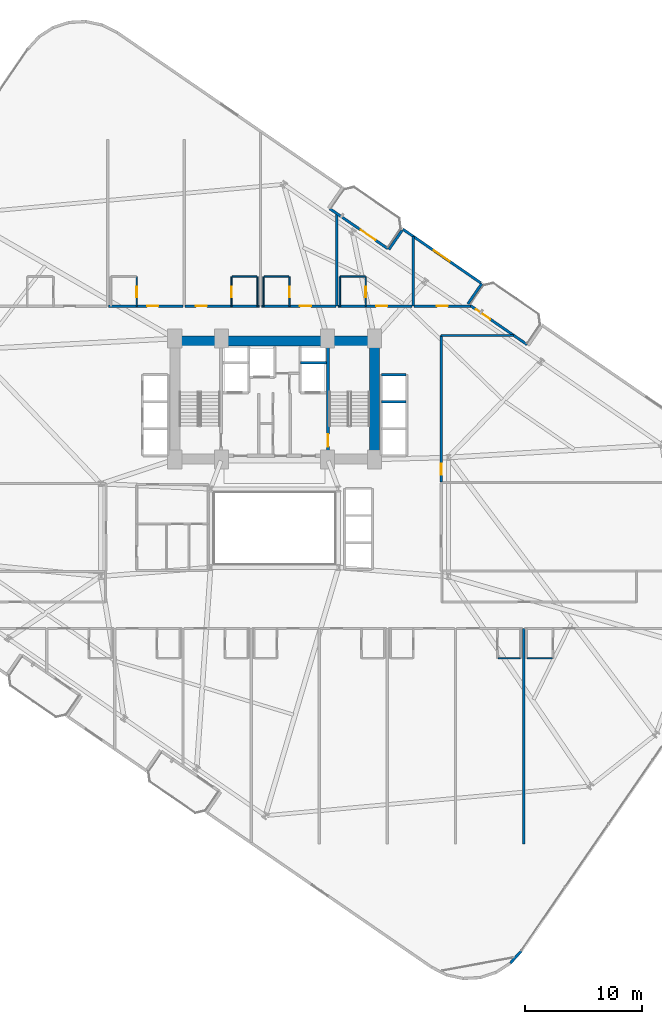
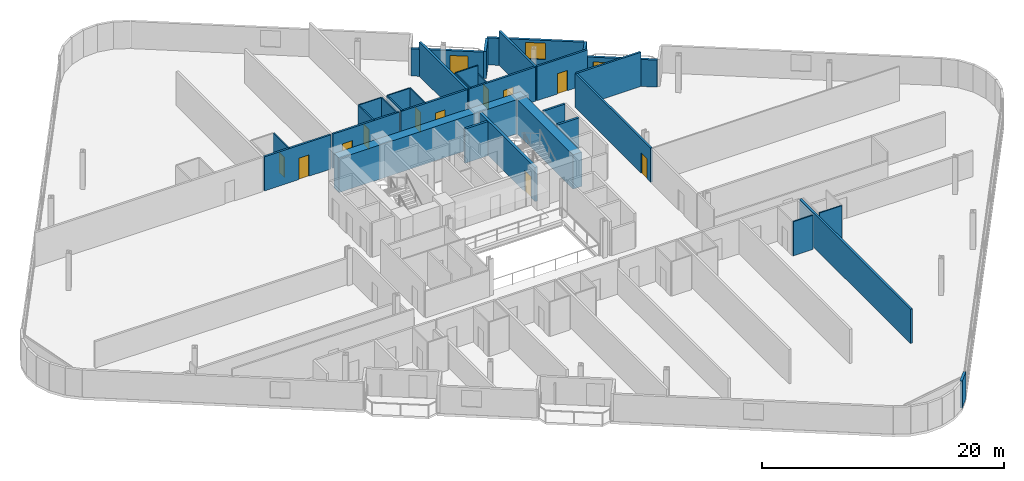
# One storey, part 22 of 27: 34 walls, 13 doors, 1 window, 14 openings.
"""IFC4 building model written with IfcOpenShell, lengths in metres."""

from ifc_helpers import new_model, si_unit, direction, frame, frame_2d, origin, place, context, subcontext, project, spatial, rectangle, extrude, material, layer, layer_set, type_object, element, fill, save


model = new_model("IFC4")

# Units and contexts
model_context = context("Model", 3, precision=1e-05, world=origin(), true_north=direction((0.0, 1.0)))
body_context = subcontext(model_context, "Body", "Model", "MODEL_VIEW")
ifc_project = project(units=[si_unit("LENGTHUNIT", "METRE"), si_unit("AREAUNIT", "SQUARE_METRE"), si_unit("VOLUMEUNIT", "CUBIC_METRE"), si_unit("PLANEANGLEUNIT", "RADIAN"), si_unit("MASSUNIT", "GRAM", prefix="KILO")], contexts=[model_context])

# Site, building, storey
site_placement = place(None, origin())
site = spatial("IfcSite", under=ifc_project, at=site_placement, CompositionType="ELEMENT")
building_placement = place(site_placement, origin())
building = spatial("IfcBuilding", under=site, at=building_placement, Name="Varnelok Gate Tower", CompositionType="ELEMENT")
storey_placement = place(building_placement, frame((0.0, 0.0, 60.300048828125)))
storey = spatial("IfcBuildingStorey", under=building, at=storey_placement, Name="L14", CompositionType="ELEMENT", Elevation=60.300048828125)

# Wall, opening, door
ifc_material_1 = material(Name="Concrete C45/55", Category="concrete")
ifc_layer_1 = layer(ifc_material_1, 0.219970703125)
ifc_layer_set_1 = layer_set([ifc_layer_1], Name="Concrete C45/55")
wall_type_1 = type_object("IfcWallType", Name="EW-BALC-220", PredefinedType="SOLIDWALL", material=ifc_layer_set_1)
wall_1_placement = place(storey_placement, frame((43.898193359375, 50.1015625, 0.0), z_axis=(0.0, 0.0, 1.0), x_axis=(0.823534636215, -0.567265989598, 0.0)))
wall_1 = element("IfcWall", 1, at=wall_1_placement, inside=storey, type_object=wall_type_1, Name="L14 North Terrace Envelope Wall 3", PredefinedType="SOLIDWALL", context=body_context, shape_type="SweptSolid", body=[
    extrude(rectangle(XDim=6.0, YDim=0.219970703125, at=frame_2d((3.0, 0.0))), origin(), (0.0, 0.0, 1.0), 2.72998046875),
])
opening_1_placement = place(wall_1_placement, frame((3.2119140625, 0.0, 0.0)))
opening_1 = element("IfcOpeningElement", 2, at=opening_1_placement, cuts=wall_1, Name="Opening BD-1", PredefinedType="OPENING", context=body_context, shape_type="SweptSolid", body=[
    extrude(rectangle(XDim=1.5, YDim=2.25, at=frame_2d((0.75, 1.125))), frame((0.0, 0.119873046875, 0.0), z_axis=(0.0, -1.0, 0.0), x_axis=(1.0, 0.0, 0.0)), (0.0, 0.0, 1.0), 0.239990234375),
])
ifc_material_2 = material(Name="Anodized Aluminum Alloy 6063-T6", Category="aluminium")
door_type_1 = type_object("IfcDoorType", Name="DR-EXT-BALC1500", OperationType="NOTDEFINED", PredefinedType="DOOR", material=ifc_material_2)
door_1_placement = place(opening_1_placement, origin())
door_1 = element("IfcDoor", 3, at=door_1_placement, inside=storey, type_object=door_type_1, Name="L14 North Balcony Glazed Door 3", OperationType="SINGLE_SWING_RIGHT", OverallHeight=2.25, OverallWidth=1.5, PredefinedType="DOOR", context=body_context, shape_type="SweptSolid", body=[
    extrude(rectangle(XDim=1.5, YDim=2.25, at=frame_2d((0.75, 1.125))), frame((0.0, 0.02490234375, 0.0), z_axis=(0.0, -1.0, 0.0), x_axis=(1.0, 0.0, 0.0)), (0.0, 0.0, 1.0), 0.050048828125),
])
fill(opening_1, door_1)

wall_2_placement = place(storey_placement, frame((55.757080078125, 41.932861328125, 0.0), z_axis=(0.0, 0.0, 1.0), x_axis=(0.823534636215, -0.567265989598, 0.0)))
wall_2 = element("IfcWall", 4, at=wall_2_placement, inside=storey, type_object=wall_type_1, Name="L14 North Terrace Envelope Wall 4", PredefinedType="SOLIDWALL", context=body_context, shape_type="SweptSolid", body=[
    extrude(rectangle(XDim=6.0, YDim=0.219970703125, at=frame_2d((3.0, 0.0))), origin(), (0.0, 0.0, 1.0), 2.72998046875),
])
opening_2_placement = place(wall_2_placement, frame((0.696044921875, 0.0, 0.0)))
opening_2 = element("IfcOpeningElement", 5, at=opening_2_placement, cuts=wall_2, Name="Opening BD-1", PredefinedType="OPENING", context=body_context, shape_type="SweptSolid", body=[
    extrude(rectangle(XDim=1.5, YDim=2.25, at=frame_2d((0.75, 1.125))), frame((0.0, 0.119873046875, 0.0), z_axis=(0.0, -1.0, 0.0), x_axis=(1.0, 0.0, 0.0)), (0.0, 0.0, 1.0), 0.239990234375),
])
door_2_placement = place(opening_2_placement, origin())
door_2 = element("IfcDoor", 6, at=door_2_placement, inside=storey, type_object=door_type_1, Name="L14 North Balcony Glazed Door 4", OperationType="SINGLE_SWING_LEFT", OverallHeight=2.25, OverallWidth=1.5, PredefinedType="DOOR", context=body_context, shape_type="SweptSolid", body=[
    extrude(rectangle(XDim=1.5, YDim=2.25, at=frame_2d((0.75, 1.125))), frame((0.0, 0.02490234375, 0.0), z_axis=(0.0, -1.0, 0.0), x_axis=(1.0, 0.0, 0.0)), (0.0, 0.0, 1.0), 0.050048828125),
])
fill(opening_2, door_2)

# Walls
wall_3_placement = place(storey_placement, frame((59.26611328125, -14.13525390625, 0.0), z_axis=(0.0, 0.0, 1.0), x_axis=(0.669866433955, 0.742481623113, 0.0)))
element("IfcWall", 7, at=wall_3_placement, inside=storey, type_object=wall_type_1, Name="L14 Perimeter Facade Closure Wall 19", PredefinedType="SOLIDWALL", context=body_context, shape_type="SweptSolid", body=[
    extrude(rectangle(XDim=1.4052734375, YDim=0.219970703125, at=frame_2d((0.70263671875, 0.0))), origin(), (0.0, 0.0, 1.0), 2.72998046875),
])
wall_4_placement = place(storey_placement, frame((55.652587890625, 41.99267578125, 0.0), z_axis=(0.0, 0.0, 1.0), x_axis=(0.567273696173, 0.823529327729, 0.0)))
element("IfcWall", 8, at=wall_4_placement, inside=storey, type_object=wall_type_1, Name="L14 Perimeter Facade Closure Wall 28", PredefinedType="SOLIDWALL", context=body_context, shape_type="SweptSolid", body=[
    extrude(rectangle(XDim=2.099853515625, YDim=0.219970703125, at=frame_2d((1.0498046875, 0.0))), origin(), (0.0, 0.0, 1.0), 2.72998046875),
])

# Wall, opening, window
wall_5_placement = place(storey_placement, frame((56.740966796875, 43.79296875, 0.0), z_axis=(0.0, 0.0, 1.0), x_axis=(-0.823530942962, 0.56727135128, 0.0)))
wall_5 = element("IfcWall", 9, at=wall_5_placement, inside=storey, type_object=wall_type_1, Name="L14 Perimeter Facade Closure Wall 29", PredefinedType="SOLIDWALL", context=body_context, shape_type="SweptSolid", body=[
    extrude(rectangle(XDim=8.03515625, YDim=0.219970703125, at=frame_2d((4.017578125, 0.0))), origin(), (0.0, 0.0, 1.0), 2.72998046875),
])
opening_3_placement = place(wall_5_placement, frame((3.1923828125, 0.0, 0.800048828125)))
opening_3 = element("IfcOpeningElement", 10, at=opening_3_placement, cuts=wall_5, Name="Opening WN3", PredefinedType="OPENING", context=body_context, shape_type="SweptSolid", body=[
    extrude(rectangle(XDim=1.64990234375, YDim=1.64990234375, at=frame_2d((0.824951171875, 0.824951171875))), frame((0.0, 0.119873046875, 0.0), z_axis=(0.0, -1.0, 0.0), x_axis=(1.0, 0.0, 0.0)), (0.0, 0.0, 1.0), 0.239990234375),
])
ifc_material_3 = material(Name="Low-E Laminated Double Glazing IGU", Category="glass")
window_type = type_object("IfcWindowType", Name="WN-HTL-1650", PartitioningType="SINGLE_PANEL", PredefinedType="WINDOW", material=ifc_material_3)
window_placement = place(opening_3_placement, origin())
window = element("IfcWindow", 11, at=window_placement, inside=storey, type_object=window_type, Name="L14 Perimeter Vision Window 29", OverallHeight=1.64990234375, OverallWidth=1.64990234375, PartitioningType="SINGLE_PANEL", PredefinedType="WINDOW", context=body_context, shape_type="SweptSolid", body=[
    extrude(rectangle(XDim=1.64990234375, YDim=1.64990234375, at=frame_2d((0.824951171875, 0.824951171875))), frame((0.0, 0.030029296875, 0.0), z_axis=(0.0, -1.0, 0.0), x_axis=(1.0, 0.0, 0.0)), (0.0, 0.0, 1.0), 0.06005859375),
])
fill(opening_3, window)

# Wall
wall_6_placement = place(storey_placement, frame((50.052978515625, 48.248046875, 0.0), z_axis=(0.0, 0.0, 1.0), x_axis=(-0.567273565974, -0.823529417415, 0.0)))
element("IfcWall", 12, at=wall_6_placement, inside=storey, type_object=wall_type_1, Name="L14 Perimeter Facade Closure Wall 30", PredefinedType="SOLIDWALL", context=body_context, shape_type="SweptSolid", body=[
    extrude(rectangle(XDim=1.97509765625, YDim=0.219970703125, at=frame_2d((0.987548828125, 0.0))), origin(), (0.0, 0.0, 1.0), 2.72998046875),
])

# Wall, opening, door
ifc_material_4 = material(Name="Gypsum Plasterboard Acoustic Partition", Category="gypsum")
ifc_layer_2 = layer(ifc_material_4, 0.179931640625)
ifc_layer_set_2 = layer_set([ifc_layer_2], Name="Gypsum Plasterboard Acoustic Partition")
wall_type_2 = type_object("IfcWallType", Name="PW-CORR-180", PredefinedType="PARTITIONING", material=ifc_layer_set_2)
wall_7_placement = place(storey_placement, frame((25.080078125, 41.800048828125, 0.0), z_axis=(0.0, 0.0, 1.0), x_axis=(1.0, 0.0, 0.0)))
wall_7 = element("IfcWall", 13, at=wall_7_placement, inside=storey, type_object=wall_type_2, Name="Interior Partition", PredefinedType="PARTITIONING", context=body_context, shape_type="SweptSolid", body=[
    extrude(rectangle(XDim=6.33984375, YDim=0.179931640625, at=frame_2d((3.169921875, 0.0))), origin(), (0.0, 0.0, 1.0), 3.449951171875),
])
opening_4_placement = place(wall_7_placement, frame((3.273681640625, 0.0, 0.0)))
opening_4 = element("IfcOpeningElement", 14, at=opening_4_placement, cuts=wall_7, Name="Opening D-HT", PredefinedType="OPENING", context=body_context, shape_type="SweptSolid", body=[
    extrude(rectangle(XDim=0.949951171875, YDim=2.14990234375, at=frame_2d((0.47509765625, 1.074951171875))), frame((0.0, 0.099853515625, 0.0), z_axis=(0.0, -1.0, 0.0), x_axis=(1.0, 0.0, 0.0)), (0.0, 0.0, 1.0), 0.199951171875),
])
ifc_material_5 = material(Name="Engineered Hardwood Timber", Category="wood")
door_type_2 = type_object("IfcDoorType", Name="DR-HTL-950", OperationType="NOTDEFINED", PredefinedType="DOOR", material=ifc_material_5)
door_3_placement = place(opening_4_placement, origin())
door_3 = element("IfcDoor", 15, at=door_3_placement, inside=storey, type_object=door_type_2, Name="L14 Guest Room 12 Entrance Door", OperationType="SINGLE_SWING_LEFT", OverallHeight=2.14990234375, OverallWidth=0.949951171875, PredefinedType="DOOR", context=body_context, shape_type="SweptSolid", body=[
    extrude(rectangle(XDim=0.949951171875, YDim=2.14990234375, at=frame_2d((0.47509765625, 1.074951171875))), frame((0.0, 0.02490234375, 0.0), z_axis=(0.0, -1.0, 0.0), x_axis=(1.0, 0.0, 0.0)), (0.0, 0.0, 1.0), 0.050048828125),
])
fill(opening_4, door_3)

wall_8_placement = place(storey_placement, frame((31.580078125, 41.800048828125, 0.0), z_axis=(0.0, 0.0, 1.0), x_axis=(1.0, 0.0, 0.0)))
wall_8 = element("IfcWall", 16, at=wall_8_placement, inside=storey, type_object=wall_type_2, Name="Interior Partition", PredefinedType="PARTITIONING", context=body_context, shape_type="SweptSolid", body=[
    extrude(rectangle(XDim=6.33984375, YDim=0.179931640625, at=frame_2d((3.169921875, 0.0))), origin(), (0.0, 0.0, 1.0), 3.449951171875),
])
opening_5_placement = place(wall_8_placement, frame((0.90966796875, 0.0, 0.0)))
opening_5 = element("IfcOpeningElement", 17, at=opening_5_placement, cuts=wall_8, Name="Opening D-HT", PredefinedType="OPENING", context=body_context, shape_type="SweptSolid", body=[
    extrude(rectangle(XDim=0.949951171875, YDim=2.14990234375, at=frame_2d((0.47509765625, 1.074951171875))), frame((0.0, 0.099853515625, 0.0), z_axis=(0.0, -1.0, 0.0), x_axis=(1.0, 0.0, 0.0)), (0.0, 0.0, 1.0), 0.199951171875),
])
door_4_placement = place(opening_5_placement, origin())
door_4 = element("IfcDoor", 18, at=door_4_placement, inside=storey, type_object=door_type_2, Name="L14 Guest Room 13 Entrance Door", OperationType="SINGLE_SWING_RIGHT", OverallHeight=2.14990234375, OverallWidth=0.949951171875, PredefinedType="DOOR", context=body_context, shape_type="SweptSolid", body=[
    extrude(rectangle(XDim=0.949951171875, YDim=2.14990234375, at=frame_2d((0.47509765625, 1.074951171875))), frame((0.0, 0.02490234375, 0.0), z_axis=(0.0, -1.0, 0.0), x_axis=(1.0, 0.0, 0.0)), (0.0, 0.0, 1.0), 0.050048828125),
])
fill(opening_5, door_4)

wall_9_placement = place(storey_placement, frame((38.080078125, 41.800048828125, 0.0), z_axis=(0.0, 0.0, 1.0), x_axis=(1.0, 0.0, 0.0)))
wall_9 = element("IfcWall", 19, at=wall_9_placement, inside=storey, type_object=wall_type_2, Name="Interior Partition", PredefinedType="PARTITIONING", context=body_context, shape_type="SweptSolid", body=[
    extrude(rectangle(XDim=6.33984375, YDim=0.179931640625, at=frame_2d((3.169921875, 0.0))), origin(), (0.0, 0.0, 1.0), 3.449951171875),
])
opening_6_placement = place(wall_9_placement, frame((3.273681640625, 0.0, 0.0)))
opening_6 = element("IfcOpeningElement", 20, at=opening_6_placement, cuts=wall_9, Name="Opening D-HT", PredefinedType="OPENING", context=body_context, shape_type="SweptSolid", body=[
    extrude(rectangle(XDim=0.949951171875, YDim=2.14990234375, at=frame_2d((0.47509765625, 1.074951171875))), frame((0.0, 0.099853515625, 0.0), z_axis=(0.0, -1.0, 0.0), x_axis=(1.0, 0.0, 0.0)), (0.0, 0.0, 1.0), 0.199951171875),
])
door_5_placement = place(opening_6_placement, origin())
door_5 = element("IfcDoor", 21, at=door_5_placement, inside=storey, type_object=door_type_2, Name="L14 Guest Room 14 Entrance Door", OperationType="SINGLE_SWING_LEFT", OverallHeight=2.14990234375, OverallWidth=0.949951171875, PredefinedType="DOOR", context=body_context, shape_type="SweptSolid", body=[
    extrude(rectangle(XDim=0.949951171875, YDim=2.14990234375, at=frame_2d((0.47509765625, 1.074951171875))), frame((0.0, 0.02490234375, 0.0), z_axis=(0.0, -1.0, 0.0), x_axis=(1.0, 0.0, 0.0)), (0.0, 0.0, 1.0), 0.050048828125),
])
fill(opening_6, door_5)

wall_10_placement = place(storey_placement, frame((44.580078125, 41.800048828125, 0.0), z_axis=(0.0, 0.0, 1.0), x_axis=(1.0, 0.0, 0.0)))
wall_10 = element("IfcWall", 22, at=wall_10_placement, inside=storey, type_object=wall_type_2, Name="Interior Partition", PredefinedType="PARTITIONING", context=body_context, shape_type="SweptSolid", body=[
    extrude(rectangle(XDim=6.33984375, YDim=0.179931640625, at=frame_2d((3.169921875, 0.0))), origin(), (0.0, 0.0, 1.0), 3.449951171875),
])
opening_7_placement = place(wall_10_placement, frame((3.273681640625, 0.0, 0.0)))
opening_7 = element("IfcOpeningElement", 23, at=opening_7_placement, cuts=wall_10, Name="Opening D-HT", PredefinedType="OPENING", context=body_context, shape_type="SweptSolid", body=[
    extrude(rectangle(XDim=0.949951171875, YDim=2.14990234375, at=frame_2d((0.47509765625, 1.074951171875))), frame((0.0, 0.099853515625, 0.0), z_axis=(0.0, -1.0, 0.0), x_axis=(1.0, 0.0, 0.0)), (0.0, 0.0, 1.0), 0.199951171875),
])
door_6_placement = place(opening_7_placement, origin())
door_6 = element("IfcDoor", 24, at=door_6_placement, inside=storey, type_object=door_type_2, Name="L14 Guest Room 15 Entrance Door", OperationType="SINGLE_SWING_RIGHT", OverallHeight=2.14990234375, OverallWidth=0.949951171875, PredefinedType="DOOR", context=body_context, shape_type="SweptSolid", body=[
    extrude(rectangle(XDim=0.949951171875, YDim=2.14990234375, at=frame_2d((0.47509765625, 1.074951171875))), frame((0.0, 0.02490234375, 0.0), z_axis=(0.0, -1.0, 0.0), x_axis=(1.0, 0.0, 0.0)), (0.0, 0.0, 1.0), 0.050048828125),
])
fill(opening_7, door_6)

wall_11_placement = place(storey_placement, frame((51.080078125, 41.800048828125, 0.0), z_axis=(0.0, 0.0, 1.0), x_axis=(1.0, 0.0, 0.0)))
wall_11 = element("IfcWall", 25, at=wall_11_placement, inside=storey, type_object=wall_type_2, Name="Interior Partition", PredefinedType="PARTITIONING", context=body_context, shape_type="SweptSolid", body=[
    extrude(rectangle(XDim=4.81689453125, YDim=0.179931640625, at=frame_2d((2.408447265625, 0.0))), origin(), (0.0, 0.0, 1.0), 3.449951171875),
])
opening_8_placement = place(wall_11_placement, frame((1.93359375, 0.0, 0.0)))
opening_8 = element("IfcOpeningElement", 26, at=opening_8_placement, cuts=wall_11, Name="Opening D-I2", PredefinedType="OPENING", context=body_context, shape_type="SweptSolid", body=[
    extrude(rectangle(XDim=0.949951171875, YDim=2.050048828125, at=frame_2d((0.47509765625, 1.02490234375))), frame((0.0, 0.099853515625, 0.0), z_axis=(0.0, -1.0, 0.0), x_axis=(1.0, 0.0, 0.0)), (0.0, 0.0, 1.0), 0.199951171875),
])
door_type_3 = type_object("IfcDoorType", Name="DR-INT-950", OperationType="NOTDEFINED", PredefinedType="DOOR", material=ifc_material_5)
door_7_placement = place(opening_8_placement, origin())
door_7 = element("IfcDoor", 27, at=door_7_placement, inside=storey, type_object=door_type_3, Name="L14 Children Playroom Door", OperationType="SINGLE_SWING_LEFT", OverallHeight=2.050048828125, OverallWidth=0.949951171875, PredefinedType="DOOR", context=body_context, shape_type="SweptSolid", body=[
    extrude(rectangle(XDim=0.949951171875, YDim=2.050048828125, at=frame_2d((0.47509765625, 1.02490234375))), frame((0.0, 0.02490234375, 0.0), z_axis=(0.0, -1.0, 0.0), x_axis=(1.0, 0.0, 0.0)), (0.0, 0.0, 1.0), 0.050048828125),
])
fill(opening_8, door_7)

wall_12_placement = place(storey_placement, frame((53.389892578125, 26.840087890625, 0.0), z_axis=(0.0, 0.0, 1.0), x_axis=(0.0, 1.0, 0.0)))
wall_12 = element("IfcWall", 28, at=wall_12_placement, inside=storey, type_object=wall_type_2, Name="Interior Partition", PredefinedType="PARTITIONING", context=body_context, shape_type="SweptSolid", body=[
    extrude(rectangle(XDim=12.4599609375, YDim=0.179931640625, at=frame_2d((6.22998046875, 0.0))), origin(), (0.0, 0.0, 1.0), 3.449951171875),
])
opening_9_placement = place(wall_12_placement, frame((0.6181640625, 0.0, 0.0)))
opening_9 = element("IfcOpeningElement", 29, at=opening_9_placement, cuts=wall_12, Name="Opening D-I3", PredefinedType="OPENING", context=body_context, shape_type="SweptSolid", body=[
    extrude(rectangle(XDim=0.919921875, YDim=2.050048828125, at=frame_2d((0.4599609375, 1.02490234375))), frame((0.0, 0.099853515625, 0.0), z_axis=(0.0, -1.0, 0.0), x_axis=(1.0, 0.0, 0.0)), (0.0, 0.0, 1.0), 0.199951171875),
])
door_type_4 = type_object("IfcDoorType", Name="DR-INT-920", OperationType="NOTDEFINED", PredefinedType="DOOR", material=ifc_material_5)
door_8_placement = place(opening_9_placement, origin())
door_8 = element("IfcDoor", 30, at=door_8_placement, inside=storey, type_object=door_type_4, Name="L14 East Playroom Door", OperationType="SINGLE_SWING_LEFT", OverallHeight=2.050048828125, OverallWidth=0.919921875, PredefinedType="DOOR", context=body_context, shape_type="SweptSolid", body=[
    extrude(rectangle(XDim=0.919921875, YDim=2.050048828125, at=frame_2d((0.4599609375, 1.02490234375))), frame((0.0, 0.02490234375, 0.0), z_axis=(0.0, -1.0, 0.0), x_axis=(1.0, 0.0, 0.0)), (0.0, 0.0, 1.0), 0.050048828125),
])
fill(opening_9, door_8)

# Walls
wall_13_placement = place(storey_placement, frame((53.389892578125, 39.300048828125, 0.0), z_axis=(0.0, 0.0, 1.0), x_axis=(1.0, 0.0, 0.0)))
element("IfcWall", 31, at=wall_13_placement, inside=storey, type_object=wall_type_2, Name="Interior Partition", PredefinedType="PARTITIONING", context=body_context, shape_type="SweptSolid", body=[
    extrude(rectangle(XDim=6.136474609375, YDim=0.179931640625, at=frame_2d((3.068359375, 0.0))), origin(), (0.0, 0.0, 1.0), 3.449951171875),
])
ifc_layer_3 = layer(ifc_material_4, 0.114990234375)
ifc_layer_set_3 = layer_set([ifc_layer_3], Name="Gypsum Plasterboard Acoustic Partition")
wall_type_3 = type_object("IfcWallType", Name="PW-ENS-125", PredefinedType="PARTITIONING", material=ifc_layer_set_3)
wall_14_placement = place(storey_placement, frame((58.22802734375, 11.830078125, 0.0), z_axis=(0.0, 0.0, 1.0), x_axis=(1.0, 0.0, 0.0)))
element("IfcWall", 32, at=wall_14_placement, inside=storey, type_object=wall_type_3, Name="Interior Partition", PredefinedType="PARTITIONING", context=body_context, shape_type="SweptSolid", body=[
    extrude(rectangle(XDim=1.8720703125, YDim=0.114990234375, at=frame_2d((0.93603515625, 0.0))), origin(), (0.0, 0.0, 1.0), 3.449951171875),
])
wall_15_placement = place(storey_placement, frame((60.699951171875, 11.830078125, 0.0), z_axis=(0.0, 0.0, 1.0), x_axis=(1.0, 0.0, 0.0)))
element("IfcWall", 33, at=wall_15_placement, inside=storey, type_object=wall_type_3, Name="Interior Partition", PredefinedType="PARTITIONING", context=body_context, shape_type="SweptSolid", body=[
    extrude(rectangle(XDim=2.150146484375, YDim=0.114990234375, at=frame_2d((1.0751953125, 0.0))), origin(), (0.0, 0.0, 1.0), 3.449951171875),
])

# Wall, opening, door
wall_16_placement = place(storey_placement, frame((27.464111328125, 41.800048828125, 0.0), z_axis=(0.0, 0.0, 1.0), x_axis=(0.0, 1.0, 0.0)))
wall_16 = element("IfcWall", 34, at=wall_16_placement, inside=storey, type_object=wall_type_3, Name="Interior Partition", PredefinedType="PARTITIONING", context=body_context, shape_type="SweptSolid", body=[
    extrude(rectangle(XDim=2.52001953125, YDim=0.114990234375, at=frame_2d((1.260009765625, 0.0))), origin(), (0.0, 0.0, 1.0), 3.449951171875),
])
opening_10_placement = place(wall_16_placement, frame((0.760009765625, 0.0, 0.0)))
opening_10 = element("IfcOpeningElement", 35, at=opening_10_placement, cuts=wall_16, Name="Opening D-WC", PredefinedType="OPENING", context=body_context, shape_type="SweptSolid", body=[
    extrude(rectangle(XDim=0.89990234375, YDim=2.050048828125, at=frame_2d((0.449951171875, 1.02490234375))), frame((0.0, 0.0673828125, 0.0), z_axis=(0.0, -1.0, 0.0), x_axis=(1.0, 0.0, 0.0)), (0.0, 0.0, 1.0), 0.135009765625),
])
door_type_5 = type_object("IfcDoorType", Name="DR-BATH-900", OperationType="NOTDEFINED", PredefinedType="DOOR", material=ifc_material_5)
door_9_placement = place(opening_10_placement, origin())
door_9 = element("IfcDoor", 36, at=door_9_placement, inside=storey, type_object=door_type_5, Name="L14 North En-Suite 12 Door", OperationType="SINGLE_SWING_RIGHT", OverallHeight=2.050048828125, OverallWidth=0.89990234375, PredefinedType="DOOR", context=body_context, shape_type="SweptSolid", body=[
    extrude(rectangle(XDim=0.89990234375, YDim=2.050048828125, at=frame_2d((0.449951171875, 1.02490234375))), frame((0.0, 0.02490234375, 0.0), z_axis=(0.0, -1.0, 0.0), x_axis=(1.0, 0.0, 0.0)), (0.0, 0.0, 1.0), 0.050048828125),
])
fill(opening_10, door_9)

# Wall
wall_17_placement = place(storey_placement, frame((35.575927734375, 44.320068359375, 0.0), z_axis=(0.0, 0.0, 1.0), x_axis=(1.0, 0.0, 0.0)))
element("IfcWall", 37, at=wall_17_placement, inside=storey, type_object=wall_type_3, Name="Interior Partition", PredefinedType="PARTITIONING", context=body_context, shape_type="SweptSolid", body=[
    extrude(rectangle(XDim=2.1240234375, YDim=0.114990234375, at=frame_2d((1.06201171875, 0.0))), origin(), (0.0, 0.0, 1.0), 3.449951171875),
])

# Wall, opening, door
wall_18_placement = place(storey_placement, frame((35.535888671875, 41.800048828125, 0.0), z_axis=(0.0, 0.0, 1.0), x_axis=(0.0, 1.0, 0.0)))
wall_18 = element("IfcWall", 38, at=wall_18_placement, inside=storey, type_object=wall_type_3, Name="Interior Partition", PredefinedType="PARTITIONING", context=body_context, shape_type="SweptSolid", body=[
    extrude(rectangle(XDim=2.52001953125, YDim=0.114990234375, at=frame_2d((1.260009765625, 0.0))), origin(), (0.0, 0.0, 1.0), 3.449951171875),
])
opening_11_placement = place(wall_18_placement, frame((0.760009765625, 0.0, 0.0)))
opening_11 = element("IfcOpeningElement", 39, at=opening_11_placement, cuts=wall_18, Name="Opening D-WC", PredefinedType="OPENING", context=body_context, shape_type="SweptSolid", body=[
    extrude(rectangle(XDim=0.89990234375, YDim=2.050048828125, at=frame_2d((0.449951171875, 1.02490234375))), frame((0.0, 0.0673828125, 0.0), z_axis=(0.0, -1.0, 0.0), x_axis=(1.0, 0.0, 0.0)), (0.0, 0.0, 1.0), 0.135009765625),
])
door_10_placement = place(opening_11_placement, origin())
door_10 = element("IfcDoor", 40, at=door_10_placement, inside=storey, type_object=door_type_5, Name="L14 North En-Suite 13 Door", OperationType="SINGLE_SWING_LEFT", OverallHeight=2.050048828125, OverallWidth=0.89990234375, PredefinedType="DOOR", context=body_context, shape_type="SweptSolid", body=[
    extrude(rectangle(XDim=0.89990234375, YDim=2.050048828125, at=frame_2d((0.449951171875, 1.02490234375))), frame((0.0, 0.02490234375, 0.0), z_axis=(0.0, -1.0, 0.0), x_axis=(1.0, 0.0, 0.0)), (0.0, 0.0, 1.0), 0.050048828125),
])
fill(opening_11, door_10)

# Walls
wall_19_placement = place(storey_placement, frame((37.739990234375, 41.800048828125, 0.0), z_axis=(0.0, 0.0, 1.0), x_axis=(0.0, 1.0, 0.0)))
element("IfcWall", 41, at=wall_19_placement, inside=storey, type_object=wall_type_3, Name="Interior Partition", PredefinedType="PARTITIONING", context=body_context, shape_type="SweptSolid", body=[
    extrude(rectangle(XDim=2.52001953125, YDim=0.114990234375, at=frame_2d((1.260009765625, 0.0))), origin(), (0.0, 0.0, 1.0), 3.449951171875),
])
wall_20_placement = place(storey_placement, frame((38.300048828125, 44.320068359375, 0.0), z_axis=(0.0, 0.0, 1.0), x_axis=(1.0, 0.0, 0.0)))
element("IfcWall", 42, at=wall_20_placement, inside=storey, type_object=wall_type_3, Name="Interior Partition", PredefinedType="PARTITIONING", context=body_context, shape_type="SweptSolid", body=[
    extrude(rectangle(XDim=2.1240234375, YDim=0.114990234375, at=frame_2d((1.06201171875, 0.0))), origin(), (0.0, 0.0, 1.0), 3.449951171875),
])

# Wall, opening, door
wall_21_placement = place(storey_placement, frame((40.464111328125, 41.800048828125, 0.0), z_axis=(0.0, 0.0, 1.0), x_axis=(0.0, 1.0, 0.0)))
wall_21 = element("IfcWall", 43, at=wall_21_placement, inside=storey, type_object=wall_type_3, Name="Interior Partition", PredefinedType="PARTITIONING", context=body_context, shape_type="SweptSolid", body=[
    extrude(rectangle(XDim=2.52001953125, YDim=0.114990234375, at=frame_2d((1.260009765625, 0.0))), origin(), (0.0, 0.0, 1.0), 3.449951171875),
])
opening_12_placement = place(wall_21_placement, frame((0.760009765625, 0.0, 0.0)))
opening_12 = element("IfcOpeningElement", 44, at=opening_12_placement, cuts=wall_21, Name="Opening D-WC", PredefinedType="OPENING", context=body_context, shape_type="SweptSolid", body=[
    extrude(rectangle(XDim=0.89990234375, YDim=2.050048828125, at=frame_2d((0.449951171875, 1.02490234375))), frame((0.0, 0.0673828125, 0.0), z_axis=(0.0, -1.0, 0.0), x_axis=(1.0, 0.0, 0.0)), (0.0, 0.0, 1.0), 0.135009765625),
])
door_11_placement = place(opening_12_placement, origin())
door_11 = element("IfcDoor", 45, at=door_11_placement, inside=storey, type_object=door_type_5, Name="L14 North En-Suite 14 Door", OperationType="SINGLE_SWING_RIGHT", OverallHeight=2.050048828125, OverallWidth=0.89990234375, PredefinedType="DOOR", context=body_context, shape_type="SweptSolid", body=[
    extrude(rectangle(XDim=0.89990234375, YDim=2.050048828125, at=frame_2d((0.449951171875, 1.02490234375))), frame((0.0, 0.02490234375, 0.0), z_axis=(0.0, -1.0, 0.0), x_axis=(1.0, 0.0, 0.0)), (0.0, 0.0, 1.0), 0.050048828125),
])
fill(opening_12, door_11)

# Walls
wall_22_placement = place(storey_placement, frame((38.260009765625, 41.800048828125, 0.0), z_axis=(0.0, 0.0, 1.0), x_axis=(0.0, 1.0, 0.0)))
element("IfcWall", 46, at=wall_22_placement, inside=storey, type_object=wall_type_3, Name="Interior Partition", PredefinedType="PARTITIONING", context=body_context, shape_type="SweptSolid", body=[
    extrude(rectangle(XDim=2.52001953125, YDim=0.114990234375, at=frame_2d((1.260009765625, 0.0))), origin(), (0.0, 0.0, 1.0), 3.449951171875),
])
wall_23_placement = place(storey_placement, frame((44.800048828125, 44.320068359375, 0.0), z_axis=(0.0, 0.0, 1.0), x_axis=(1.0, 0.0, 0.0)))
element("IfcWall", 47, at=wall_23_placement, inside=storey, type_object=wall_type_3, Name="Interior Partition", PredefinedType="PARTITIONING", context=body_context, shape_type="SweptSolid", body=[
    extrude(rectangle(XDim=2.1240234375, YDim=0.114990234375, at=frame_2d((1.06201171875, 0.0))), origin(), (0.0, 0.0, 1.0), 3.449951171875),
])

# Wall, opening, door
wall_24_placement = place(storey_placement, frame((46.964111328125, 41.800048828125, 0.0), z_axis=(0.0, 0.0, 1.0), x_axis=(0.0, 1.0, 0.0)))
wall_24 = element("IfcWall", 48, at=wall_24_placement, inside=storey, type_object=wall_type_3, Name="Interior Partition", PredefinedType="PARTITIONING", context=body_context, shape_type="SweptSolid", body=[
    extrude(rectangle(XDim=2.52001953125, YDim=0.114990234375, at=frame_2d((1.260009765625, 0.0))), origin(), (0.0, 0.0, 1.0), 2.579833984375),
])
opening_13_placement = place(wall_24_placement, frame((0.760009765625, 0.0, 0.0)))
opening_13 = element("IfcOpeningElement", 49, at=opening_13_placement, cuts=wall_24, Name="Opening D-WC", PredefinedType="OPENING", context=body_context, shape_type="SweptSolid", body=[
    extrude(rectangle(XDim=0.89990234375, YDim=2.050048828125, at=frame_2d((0.449951171875, 1.02490234375))), frame((0.0, 0.0673828125, 0.0), z_axis=(0.0, -1.0, 0.0), x_axis=(1.0, 0.0, 0.0)), (0.0, 0.0, 1.0), 0.135009765625),
])
door_12_placement = place(opening_13_placement, origin())
door_12 = element("IfcDoor", 50, at=door_12_placement, inside=storey, type_object=door_type_5, Name="L14 North En-Suite 15 Door", OperationType="SINGLE_SWING_RIGHT", OverallHeight=2.050048828125, OverallWidth=0.89990234375, PredefinedType="DOOR", context=body_context, shape_type="SweptSolid", body=[
    extrude(rectangle(XDim=0.89990234375, YDim=2.050048828125, at=frame_2d((0.449951171875, 1.02490234375))), frame((0.0, 0.02490234375, 0.0), z_axis=(0.0, -1.0, 0.0), x_axis=(1.0, 0.0, 0.0)), (0.0, 0.0, 1.0), 0.050048828125),
])
fill(opening_13, door_12)

# Walls
wall_25_placement = place(storey_placement, frame((44.760009765625, 41.800048828125, 0.0), z_axis=(0.0, 0.0, 1.0), x_axis=(0.0, 1.0, 0.0)))
element("IfcWall", 51, at=wall_25_placement, inside=storey, type_object=wall_type_3, Name="Interior Partition", PredefinedType="PARTITIONING", context=body_context, shape_type="SweptSolid", body=[
    extrude(rectangle(XDim=2.52001953125, YDim=0.114990234375, at=frame_2d((1.260009765625, 0.0))), origin(), (0.0, 0.0, 1.0), 3.449951171875),
])
ifc_layer_4 = layer(ifc_material_4, 0.205078125)
ifc_layer_set_4 = layer_set([ifc_layer_4], Name="Gypsum Plasterboard Acoustic Partition")
wall_type_4 = type_object("IfcWallType", Name="PW-PARTY-200", PredefinedType="PARTITIONING", material=ifc_layer_set_4)
wall_26_placement = place(storey_placement, frame((60.39990234375, -4.0, 0.0), z_axis=(0.0, 0.0, 1.0), x_axis=(0.0, 1.0, 0.0)))
element("IfcWall", 52, at=wall_26_placement, inside=storey, type_object=wall_type_4, Name="L14 South Party Wall 9", PredefinedType="PARTITIONING", context=body_context, shape_type="SweptSolid", body=[
    extrude(rectangle(XDim=18.35009765625, YDim=0.205078125, at=frame_2d((9.175048828125, 0.0))), origin(), (0.0, 0.0, 1.0), 3.449951171875),
])
wall_27_placement = place(storey_placement, frame((44.5, 41.800048828125, 0.0), z_axis=(0.0, 0.0, 1.0), x_axis=(0.0, 1.0, 0.0)))
element("IfcWall", 53, at=wall_27_placement, inside=storey, type_object=wall_type_4, Name="L14 North Party Wall 4", PredefinedType="PARTITIONING", context=body_context, shape_type="SweptSolid", body=[
    extrude(rectangle(XDim=7.8505859375, YDim=0.205078125, at=frame_2d((3.92529296875, 0.0))), origin(), (0.0, 0.0, 1.0), 3.449951171875),
])
wall_28_placement = place(storey_placement, frame((51.0, 41.800048828125, 0.0), z_axis=(0.0, 0.0, 1.0), x_axis=(0.0, 1.0, 0.0)))
element("IfcWall", 54, at=wall_28_placement, inside=storey, type_object=wall_type_4, Name="L14 North Party Wall 5", PredefinedType="PARTITIONING", context=body_context, shape_type="SweptSolid", body=[
    extrude(rectangle(XDim=5.923095703125, YDim=0.205078125, at=frame_2d((2.96142578125, 0.0))), origin(), (0.0, 0.0, 1.0), 3.449951171875),
])
ifc_material_6 = material(Name="Concrete C35/45", Category="concrete")
ifc_layer_5 = layer(ifc_material_6, 0.199951171875)
ifc_layer_set_5 = layer_set([ifc_layer_5], Name="Concrete C35/45")
wall_type_5 = type_object("IfcWallType", Name="PW-SHAFT-200", PredefinedType="PARTITIONING", material=ifc_layer_set_5)
wall_29_placement = place(storey_placement, frame((41.419921875, 36.97998046875, 0.0), z_axis=(0.0, 0.0, 1.0), x_axis=(1.0, 0.0, 0.0)))
element("IfcWall", 55, at=wall_29_placement, inside=storey, type_object=wall_type_5, Name="L14 FF2 Shaft North Wall", PredefinedType="PARTITIONING", context=body_context, shape_type="SweptSolid", body=[
    extrude(rectangle(XDim=2.18017578125, YDim=0.199951171875, at=frame_2d((1.090087890625, 0.0))), origin(), (0.0, 0.0, 1.0), 3.449951171875),
])
for number, where, z_axis, x_axis, name in (
    (56, (48.320068359375, 33.675048828125, 0.0), (0.0, 0.0, 1.0), (1.0, 0.0, 0.0), "L14 PM2 Divider"),
    (57, (48.320068359375, 35.969970703125, 0.0), (0.0, 0.0, 1.0), (1.0, 0.0, 0.0), "L14 PM Bank North Wall"),
):
    element("IfcWall", number, at=place(storey_placement, frame(where, z_axis=z_axis, x_axis=x_axis)), inside=storey, type_object=wall_type_5, Name=name, PredefinedType="PARTITIONING", context=body_context, shape_type="SweptSolid", body=[
        extrude(rectangle(XDim=2.059814453125, YDim=0.199951171875, at=frame_2d((1.02978515625, 0.0))), origin(), (0.0, 0.0, 1.0), 3.449951171875),
    ])
ifc_material_7 = material(Name="Concrete C70/85", Category="concrete")
ifc_layer_6 = layer(ifc_material_7, 0.85009765625)
ifc_layer_set_6 = layer_set([ifc_layer_6], Name="Concrete C70/85")
wall_type_6 = type_object("IfcWallType", Name="SW-CORE-850", PredefinedType="SHEAR", material=ifc_layer_set_6)
wall_30_placement = place(storey_placement, frame((30.280029296875, 38.844970703125, 0.0), z_axis=(0.0, 0.0, 1.0), x_axis=(1.0, 0.0, 0.0)))
element("IfcWall", 58, at=wall_30_placement, inside=storey, type_object=wall_type_6, Name="L14 Rear Core North Shear Wall", PredefinedType="SHEAR", context=body_context, shape_type="SweptSolid", body=[
    extrude(rectangle(XDim=17.840087890625, YDim=0.85009765625, at=frame_2d((8.919921875, 0.0))), origin(), (0.0, 0.0, 1.0), 3.449951171875),
])
wall_31_placement = place(storey_placement, frame((47.695068359375, 29.199951171875, 0.0), z_axis=(0.0, 0.0, 1.0), x_axis=(0.0, 1.0, 0.0)))
element("IfcWall", 59, at=wall_31_placement, inside=storey, type_object=wall_type_6, Name="L14 Rear Core East Shear Wall", PredefinedType="SHEAR", context=body_context, shape_type="SweptSolid", body=[
    extrude(rectangle(XDim=9.219970703125, YDim=0.85009765625, at=frame_2d((4.60986328125, 0.0))), origin(), (0.0, 0.0, 1.0), 3.449951171875),
])

# Wall, opening, door
ifc_material_8 = material(Name="Concrete C60/75", Category="concrete")
ifc_layer_7 = layer(ifc_material_8, 0.25)
ifc_layer_set_7 = layer_set([ifc_layer_7], Name="Concrete C60/75")
wall_type_7 = type_object("IfcWallType", Name="SW-SHAFT-250", PredefinedType="SHEAR", material=ifc_layer_set_7)
wall_32_placement = place(storey_placement, frame((43.760009765625, 29.199951171875, 0.0), z_axis=(0.0, 0.0, 1.0), x_axis=(0.0, 1.0, 0.0)))
wall_32 = element("IfcWall", 60, at=wall_32_placement, inside=storey, type_object=wall_type_7, Name="L14 Stair ST-2 West Shear Wall", PredefinedType="SHEAR", context=body_context, shape_type="SweptSolid", body=[
    extrude(rectangle(XDim=9.219970703125, YDim=0.25, at=frame_2d((4.60986328125, 0.0))), origin(), (0.0, 0.0, 1.0), 3.449951171875),
])
opening_14_placement = place(wall_32_placement, frame((0.64990234375, 0.0, 0.0)))
opening_14 = element("IfcOpeningElement", 61, at=opening_14_placement, cuts=wall_32, Name="Opening D-ST", PredefinedType="OPENING", context=body_context, shape_type="SweptSolid", body=[
    extrude(rectangle(XDim=1.050048828125, YDim=2.14990234375, at=frame_2d((0.52490234375, 1.074951171875))), frame((0.0, 0.135009765625, 0.0), z_axis=(0.0, -1.0, 0.0), x_axis=(1.0, 0.0, 0.0)), (0.0, 0.0, 1.0), 0.27001953125),
])
ifc_material_9 = material(Name="Galvanized Steel Grade S350GD", Category="steel")
door_type_6 = type_object("IfcDoorType", Name="DR-STAIR-1050", OperationType="NOTDEFINED", PredefinedType="DOOR", material=ifc_material_9)
door_13_placement = place(opening_14_placement, origin())
door_13 = element("IfcDoor", 62, at=door_13_placement, inside=storey, type_object=door_type_6, Name="L14 Exit Stair ST-2 Fire Door", OperationType="SINGLE_SWING_RIGHT", OverallHeight=2.14990234375, OverallWidth=1.050048828125, PredefinedType="DOOR", context=body_context, shape_type="SweptSolid", body=[
    extrude(rectangle(XDim=1.050048828125, YDim=2.14990234375, at=frame_2d((0.52490234375, 1.074951171875))), frame((0.0, 0.02490234375, 0.0), z_axis=(0.0, -1.0, 0.0), x_axis=(1.0, 0.0, 0.0)), (0.0, 0.0, 1.0), 0.050048828125),
])
fill(opening_14, door_13)

save(model, "model.ifc")
